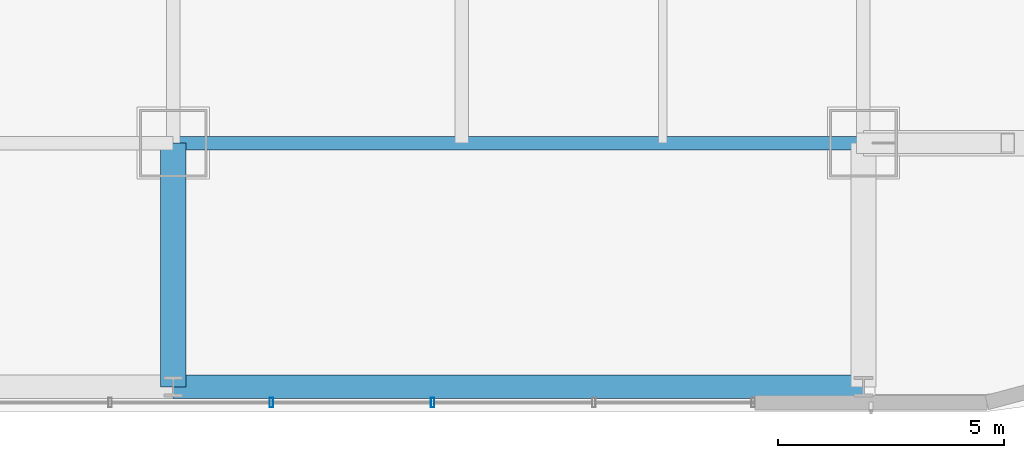
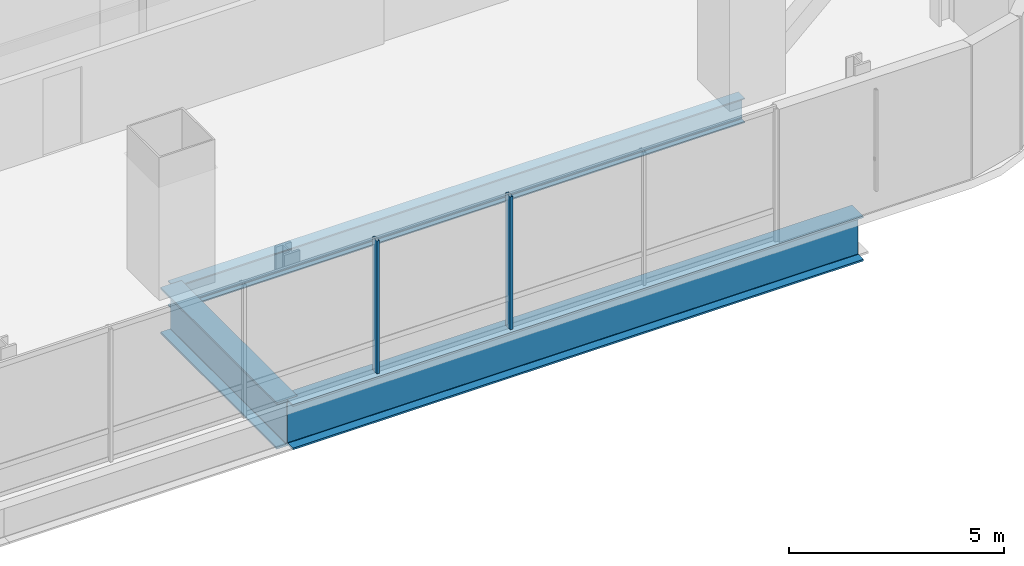
# One storey, part 6 of 42: 3 beams, 2 members, 1 element without a shape of its own.
"""IFC4 building model written with IfcOpenShell, lengths in metres."""

from ifc_helpers import new_model, si_unit, direction, frame, origin, origin_2d, place, context, subcontext, project, spatial, hollow_rectangle, i_section, extrude, material, material_profile, profile_set, type_object, element, aggregate, save


model = new_model("IFC4")

# Units and contexts
model_context = context("Model", 3, precision=1e-05, world=origin(), true_north=direction((0.0, 1.0)))
body_context = subcontext(model_context, "Body", "Model", "MODEL_VIEW")
ifc_project = project(units=[si_unit("LENGTHUNIT", "METRE"), si_unit("AREAUNIT", "SQUARE_METRE"), si_unit("VOLUMEUNIT", "CUBIC_METRE"), si_unit("PLANEANGLEUNIT", "RADIAN"), si_unit("MASSUNIT", "GRAM", prefix="KILO")], contexts=[model_context])

# Site, building, storey
site_placement = place(None, origin())
site = spatial("IfcSite", under=ifc_project, at=site_placement, CompositionType="ELEMENT")
building_placement = place(site_placement, origin())
building = spatial("IfcBuilding", under=site, at=building_placement, Name="Punatoya Terracotta Tower", CompositionType="ELEMENT")
storey_placement = place(building_placement, frame((0.0, 0.0, 88.949951171875)))
storey = spatial("IfcBuildingStorey", under=building, at=storey_placement, Name="L20", CompositionType="ELEMENT", Elevation=88.949951171875)

# Beams
ifc_material_1 = material(Name="Steel S355", Category="steel")
ifc_material_profile_1 = material_profile(ifc_material_1, i_section(OverallWidth=0.300048828125, OverallDepth=0.699951171875, WebThickness=0.01708984375, FlangeThickness=0.031982421875, FilletRadius=0.01806640625, at=origin_2d()))
ifc_profile_set_1 = profile_set([ifc_material_profile_1], Name="Steel S355")
beam_type_1 = type_object("IfcBeamType", Name="BM-PRI-700", PredefinedType="BEAM", material=ifc_profile_set_1)
beam_1_placement = place(storey_placement, frame((3.800048828125, -17.5, -0.58984375), z_axis=(1.0, 0.0, 0.0), x_axis=(0.0, 1.0, 0.0)))
element("IfcBeam", 1, at=beam_1_placement, inside=storey, type_object=beam_type_1, Name="BM-L20-RG-S3", PredefinedType="BEAM", context=body_context, shape_type="SweptSolid", body=[
    extrude(i_section(OverallWidth=0.300048828125, OverallDepth=0.699951171875, WebThickness=0.01708984375, FlangeThickness=0.031982421875, FilletRadius=0.01806640625, at=origin_2d()), origin(), (0.0, 0.0, 1.0), 15.300048828125),
])
ifc_material_2 = material(Name="Steel S460", Category="steel")
ifc_material_profile_2 = material_profile(ifc_material_2, i_section(OverallWidth=0.56005859375, OverallDepth=1.320068359375, WebThickness=0.035888671875, FlangeThickness=0.054931640625, FilletRadius=0.01806640625, at=origin_2d()))
ifc_profile_set_2 = profile_set([ifc_material_profile_2], Name="Steel S460")
beam_type_2 = type_object("IfcBeamType", Name="BM-TG-BLK", PredefinedType="BEAM", material=ifc_profile_set_2)
beam_2_placement = place(storey_placement, frame((3.800048828125, -22.89990234375, -0.89990234375), z_axis=(0.0, 1.0, 0.0), x_axis=(-1.0, 0.0, 0.0)))
element("IfcBeam", 2, at=beam_2_placement, inside=storey, type_object=beam_type_2, Name="BM-L20-CANT-S3", PredefinedType="BEAM", context=body_context, shape_type="SweptSolid", body=[
    extrude(i_section(OverallWidth=0.56005859375, OverallDepth=1.320068359375, WebThickness=0.035888671875, FlangeThickness=0.054931640625, FilletRadius=0.01806640625, at=origin_2d()), origin(), (0.0, 0.0, 1.0), 5.39990234375),
])
ifc_material_profile_3 = material_profile(ifc_material_2, i_section(OverallWidth=0.52001953125, OverallDepth=1.280029296875, WebThickness=0.031982421875, FlangeThickness=0.050048828125, FilletRadius=0.01806640625, at=origin_2d()))
ifc_profile_set_3 = profile_set([ifc_material_profile_3], Name="Steel S460")
beam_type_3 = type_object("IfcBeamType", Name="BM-TG-NCK", PredefinedType="BEAM", material=ifc_profile_set_3)
beam_3_placement = place(storey_placement, frame((3.800048828125, -22.89990234375, -0.8798828125), z_axis=(1.0, 0.0, 0.0), x_axis=(0.0, 1.0, 0.0)))
element("IfcBeam", 3, at=beam_3_placement, inside=storey, type_object=beam_type_3, Name="BM-L20-PER-S3", PredefinedType="BEAM", context=body_context, shape_type="SweptSolid", body=[
    extrude(i_section(OverallWidth=0.52001953125, OverallDepth=1.280029296875, WebThickness=0.031982421875, FlangeThickness=0.050048828125, FilletRadius=0.01806640625, at=origin_2d()), origin(), (0.0, 0.0, 1.0), 15.300048828125),
])

# Curtain wall, members
ifc_material_3 = material(Name="Aluminium 6063-T6 + Double Low-E Glass", Category="aluminium")
curtain_wall_type = type_object("IfcCurtainWallType", Name="CW-M1", PredefinedType="NOTDEFINED", material=ifc_material_3)
curtain_wall_placement = place(storey_placement, origin())
curtain_wall = element("IfcCurtainWall", 4, at=curtain_wall_placement, inside=storey, type_object=curtain_wall_type, Name="L20 Curtain Wall CW-L20-S01-1", PredefinedType="NOTDEFINED")
ifc_material_4 = material(Name="Aluminium 6063-T6", Category="aluminium")
ifc_material_profile_4 = material_profile(ifc_material_4, hollow_rectangle(XDim=0.074951171875, YDim=0.2099609375, WallThickness=0.00439453125, at=origin_2d()))
ifc_profile_set_4 = profile_set([ifc_material_profile_4], Name="Aluminium 6063-T6")
member_type = type_object("IfcMemberType", Name="CW-MUL-M1", PredefinedType="MULLION", material=ifc_profile_set_4)
member_1_placement = place(storey_placement, frame((5.97509765625, -23.25, 0.0), z_axis=(0.0, 0.0, 1.0), x_axis=(1.0, 0.0, 0.0)))
member_1 = element("IfcMember", 5, at=member_1_placement, type_object=member_type, Name="CW-L20-S01-1 Mullion 05", PredefinedType="MULLION", context=body_context, shape_type="SweptSolid", body=[
    extrude(hollow_rectangle(XDim=0.074951171875, YDim=0.2099609375, WallThickness=0.00439453125, at=origin_2d()), origin(), (0.0, 0.0, 1.0), 3.77001953125),
])
member_2_placement = place(storey_placement, frame((9.550048828125, -23.25, 0.0), z_axis=(0.0, 0.0, 1.0), x_axis=(1.0, 0.0, 0.0)))
member_2 = element("IfcMember", 6, at=member_2_placement, type_object=member_type, Name="CW-L20-S01-1 Mullion 06", PredefinedType="MULLION", context=body_context, shape_type="SweptSolid", body=[
    extrude(hollow_rectangle(XDim=0.074951171875, YDim=0.2099609375, WallThickness=0.00439453125, at=origin_2d()), origin(), (0.0, 0.0, 1.0), 3.77001953125),
])
aggregate(curtain_wall, [member_1, member_2])

save(model, "model.ifc")
